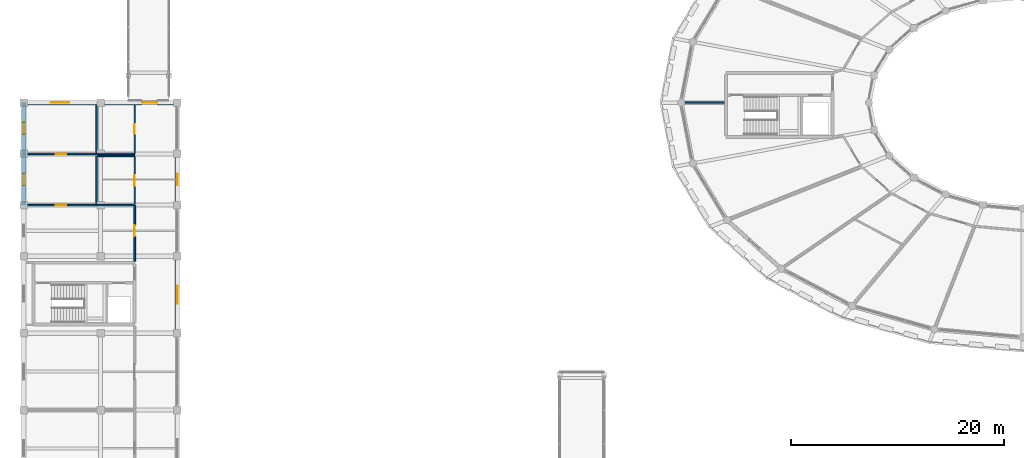
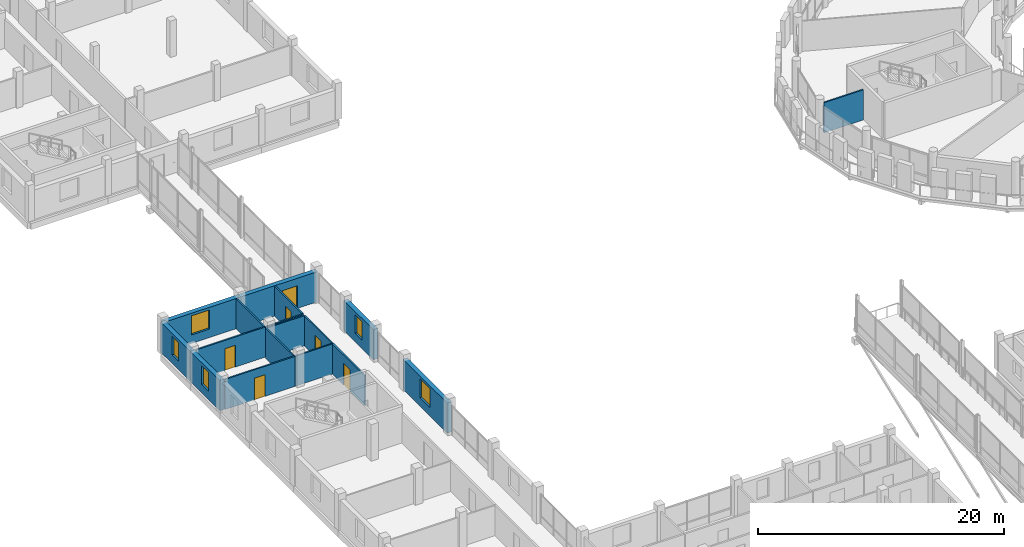
# One storey, part 109 of 128: 17 walls, 6 doors, 5 windows, 11 openings.
"""IFC4 building model written with IfcOpenShell, lengths in metres."""

from ifc_helpers import new_model, si_unit, direction, frame, frame_2d, origin, place, context, subcontext, project, spatial, rectangle, extrude, material, layer, layer_set, type_object, element, fill, save


model = new_model("IFC4")

# Units and contexts
model_context = context("Model", 3, precision=1e-05, world=origin(), true_north=direction((0.0, 1.0)))
body_context = subcontext(model_context, "Body", "Model", "MODEL_VIEW")
ifc_project = project(units=[si_unit("LENGTHUNIT", "METRE"), si_unit("AREAUNIT", "SQUARE_METRE"), si_unit("VOLUMEUNIT", "CUBIC_METRE"), si_unit("PLANEANGLEUNIT", "RADIAN"), si_unit("MASSUNIT", "GRAM", prefix="KILO")], contexts=[model_context])

# Site, building, storey
site_placement = place(None, origin())
site = spatial("IfcSite", under=ifc_project, at=site_placement, CompositionType="ELEMENT")
building_placement = place(site_placement, origin())
building = spatial("IfcBuilding", under=site, at=building_placement, Name="Zornivar Specialist Clinic", CompositionType="ELEMENT")
storey_placement = place(building_placement, frame((0.0, 0.0, 4.5)))
storey = spatial("IfcBuildingStorey", under=building, at=storey_placement, Name="L01", CompositionType="ELEMENT", Elevation=4.5)

# Wall, opening, window
ifc_material_1 = material(Name="Masonry Vratsa Limestone Ashlar Cavity Wall", Category="masonry")
ifc_layer_1 = layer(ifc_material_1, 0.419921875)
ifc_layer_set_1 = layer_set([ifc_layer_1], Name="Masonry Vratsa Limestone Ashlar Cavity Wall")
wall_type_1 = type_object("IfcWallType", Name="EW-LIMESTONE-420", PredefinedType="SOLIDWALL", material=ifc_layer_set_1)
wall_1_placement = place(storey_placement, frame((14.39990234375, 36.0, 0.0), z_axis=(0.0, 0.0, 1.0), x_axis=(0.0, 1.0, 0.0)))
wall_1 = element("IfcWall", 1, at=wall_1_placement, inside=storey, type_object=wall_type_1, Name="ew:V2:L01:17", PredefinedType="SOLIDWALL", context=body_context, shape_type="SweptSolid", body=[
    extrude(rectangle(XDim=7.199951171875, YDim=0.419921875, at=frame_2d((3.60009765625, 0.0))), origin(), (0.0, 0.0, 1.0), 3.0),
])
opening_1_placement = place(wall_1_placement, frame((2.75, 0.0, 0.85009765625)))
opening_1 = element("IfcOpeningElement", 2, at=opening_1_placement, cuts=wall_1, Name="Opening W-06", PredefinedType="OPENING", context=body_context, shape_type="SweptSolid", body=[
    extrude(rectangle(XDim=1.699951171875, YDim=1.89990234375, at=frame_2d((0.85009765625, 0.949951171875))), frame((0.0, 0.219970703125, 0.0), z_axis=(0.0, -1.0, 0.0), x_axis=(1.0, 0.0, 0.0)), (0.0, 0.0, 1.0), 0.43994140625),
])
ifc_material_2 = material(Name="Triple-Glazed Aluminium-Timber Window Glass", Category="wood")
window_type_1 = type_object("IfcWindowType", Name="WIN-OUTP-COURT-1700x1900", PartitioningType="SINGLE_PANEL", PredefinedType="WINDOW", material=ifc_material_2)
window_1_placement = place(opening_1_placement, origin())
window_1 = element("IfcWindow", 3, at=window_1_placement, inside=storey, type_object=window_type_1, Name="win:V2:L01:17", OverallHeight=1.89990234375, OverallWidth=1.699951171875, PartitioningType="SINGLE_PANEL", PredefinedType="WINDOW", context=body_context, shape_type="SweptSolid", body=[
    extrude(rectangle(XDim=1.699951171875, YDim=1.89990234375, at=frame_2d((0.85009765625, 0.949951171875))), frame((0.0, 0.030029296875, 0.0), z_axis=(0.0, -1.0, 0.0), x_axis=(1.0, 0.0, 0.0)), (0.0, 0.0, 1.0), 0.06005859375),
])
fill(opening_1, window_1)

wall_2_placement = place(storey_placement, frame((14.39990234375, 48.0, 0.0), z_axis=(0.0, 0.0, 1.0), x_axis=(0.0, 1.0, 0.0)))
wall_2 = element("IfcWall", 4, at=wall_2_placement, inside=storey, type_object=wall_type_1, Name="ew:V2:L01:19", PredefinedType="SOLIDWALL", context=body_context, shape_type="SweptSolid", body=[
    extrude(rectangle(XDim=4.800048828125, YDim=0.419921875, at=frame_2d((2.39990234375, 0.0))), origin(), (0.0, 0.0, 1.0), 3.0),
])
opening_2_placement = place(wall_2_placement, frame((1.85009765625, 0.0, 0.85009765625)))
opening_2 = element("IfcOpeningElement", 5, at=opening_2_placement, cuts=wall_2, Name="Opening W-07", PredefinedType="OPENING", context=body_context, shape_type="SweptSolid", body=[
    extrude(rectangle(XDim=1.10009765625, YDim=1.85009765625, at=frame_2d((0.550048828125, 0.925048828125))), frame((0.0, 0.219970703125, 0.0), z_axis=(0.0, -1.0, 0.0), x_axis=(1.0, 0.0, 0.0)), (0.0, 0.0, 1.0), 0.43994140625),
])
ifc_material_3 = material(Name="Triple-Glazed Aluminium-Timber Window Glass", Category="wood")
window_type_2 = type_object("IfcWindowType", Name="WIN-OUTP-PIER-1100x1850", PartitioningType="SINGLE_PANEL", PredefinedType="WINDOW", material=ifc_material_3)
window_2_placement = place(opening_2_placement, origin())
window_2 = element("IfcWindow", 6, at=window_2_placement, inside=storey, type_object=window_type_2, Name="win:V2:L01:19", OverallHeight=1.85009765625, OverallWidth=1.10009765625, PartitioningType="SINGLE_PANEL", PredefinedType="WINDOW", context=body_context, shape_type="SweptSolid", body=[
    extrude(rectangle(XDim=1.10009765625, YDim=1.85009765625, at=frame_2d((0.550048828125, 0.925048828125))), frame((0.0, 0.030029296875, 0.0), z_axis=(0.0, -1.0, 0.0), x_axis=(1.0, 0.0, 0.0)), (0.0, 0.0, 1.0), 0.06005859375),
])
fill(opening_2, window_2)

# Wall, opening, door
wall_3_placement = place(storey_placement, frame((14.39990234375, 57.60009765625, 0.0), z_axis=(0.0, 0.0, 1.0), x_axis=(-1.0, 0.0, 0.0)))
wall_3 = element("IfcWall", 7, at=wall_3_placement, inside=storey, type_object=wall_type_1, Name="ew:V2:L01:21", PredefinedType="SOLIDWALL", context=body_context, shape_type="SweptSolid", body=[
    extrude(rectangle(XDim=7.199951171875, YDim=0.419921875, at=frame_2d((3.60009765625, 0.0))), origin(), (0.0, 0.0, 1.0), 3.0),
])
opening_3_placement = place(wall_3_placement, frame((1.89990234375, 0.0, 0.0)))
opening_3 = element("IfcOpeningElement", 8, at=opening_3_placement, cuts=wall_3, Name="Opening TD-01", PredefinedType="OPENING", context=body_context, shape_type="SweptSolid", body=[
    extrude(rectangle(XDim=1.39990234375, YDim=2.25, at=frame_2d((0.699951171875, 1.125))), frame((0.0, 0.219970703125, 0.0), z_axis=(0.0, -1.0, 0.0), x_axis=(1.0, 0.0, 0.0)), (0.0, 0.0, 1.0), 0.43994140625),
])
ifc_material_4 = material(Name="Thermally Broken Glazed Aluminium Door", Category="aluminium")
door_type_1 = type_object("IfcDoorType", Name="TD-TERR-1400x2250", OperationType="NOTDEFINED", PredefinedType="DOOR", material=ifc_material_4)
door_1_placement = place(opening_3_placement, origin())
door_1 = element("IfcDoor", 9, at=door_1_placement, inside=storey, type_object=door_type_1, Name="door:V2:L01:br2", OperationType="SINGLE_SWING_RIGHT", OverallHeight=2.25, OverallWidth=1.39990234375, PredefinedType="DOOR", context=body_context, shape_type="SweptSolid", body=[
    extrude(rectangle(XDim=1.39990234375, YDim=2.25, at=frame_2d((0.699951171875, 1.125))), frame((0.0, 0.02490234375, 0.0), z_axis=(0.0, -1.0, 0.0), x_axis=(1.0, 0.0, 0.0)), (0.0, 0.0, 1.0), 0.050048828125),
])
fill(opening_3, door_1)

# Wall, opening, window
wall_4_placement = place(storey_placement, frame((7.199951171875, 57.60009765625, 0.0), z_axis=(0.0, 0.0, 1.0), x_axis=(-1.0, 0.0, 0.0)))
wall_4 = element("IfcWall", 10, at=wall_4_placement, inside=storey, type_object=wall_type_1, Name="ew:V2:L01:22", PredefinedType="SOLIDWALL", context=body_context, shape_type="SweptSolid", body=[
    extrude(rectangle(XDim=7.199951171875, YDim=0.419921875, at=frame_2d((3.60009765625, 0.0))), origin(), (0.0, 0.0, 1.0), 3.0),
])
opening_4_placement = place(wall_4_placement, frame((2.949951171875, 0.0, 0.85009765625)))
opening_4 = element("IfcOpeningElement", 11, at=opening_4_placement, cuts=wall_4, Name="Opening W-06", PredefinedType="OPENING", context=body_context, shape_type="SweptSolid", body=[
    extrude(rectangle(XDim=1.699951171875, YDim=1.89990234375, at=frame_2d((0.85009765625, 0.949951171875))), frame((0.0, 0.219970703125, 0.0), z_axis=(0.0, -1.0, 0.0), x_axis=(1.0, 0.0, 0.0)), (0.0, 0.0, 1.0), 0.43994140625),
])
window_3_placement = place(opening_4_placement, origin())
window_3 = element("IfcWindow", 12, at=window_3_placement, inside=storey, type_object=window_type_1, Name="win:V2:L01:22", OverallHeight=1.89990234375, OverallWidth=1.699951171875, PartitioningType="SINGLE_PANEL", PredefinedType="WINDOW", context=body_context, shape_type="SweptSolid", body=[
    extrude(rectangle(XDim=1.699951171875, YDim=1.89990234375, at=frame_2d((0.85009765625, 0.949951171875))), frame((0.0, 0.030029296875, 0.0), z_axis=(0.0, -1.0, 0.0), x_axis=(1.0, 0.0, 0.0)), (0.0, 0.0, 1.0), 0.06005859375),
])
fill(opening_4, window_3)

wall_5_placement = place(storey_placement, frame((0.0, 57.60009765625, 0.0), z_axis=(0.0, 0.0, 1.0), x_axis=(0.0, -1.0, 0.0)))
wall_5 = element("IfcWall", 13, at=wall_5_placement, inside=storey, type_object=wall_type_1, Name="ew:V2:L01:23", PredefinedType="SOLIDWALL", context=body_context, shape_type="SweptSolid", body=[
    extrude(rectangle(XDim=4.800048828125, YDim=0.419921875, at=frame_2d((2.39990234375, 0.0))), origin(), (0.0, 0.0, 1.0), 3.0),
])
opening_5_placement = place(wall_5_placement, frame((1.85009765625, 0.0, 0.85009765625)))
opening_5 = element("IfcOpeningElement", 14, at=opening_5_placement, cuts=wall_5, Name="Opening W-07", PredefinedType="OPENING", context=body_context, shape_type="SweptSolid", body=[
    extrude(rectangle(XDim=1.10009765625, YDim=1.85009765625, at=frame_2d((0.550048828125, 0.925048828125))), frame((0.0, 0.219970703125, 0.0), z_axis=(0.0, -1.0, 0.0), x_axis=(1.0, 0.0, 0.0)), (0.0, 0.0, 1.0), 0.43994140625),
])
window_4_placement = place(opening_5_placement, origin())
window_4 = element("IfcWindow", 15, at=window_4_placement, inside=storey, type_object=window_type_2, Name="win:V2:L01:23", OverallHeight=1.85009765625, OverallWidth=1.10009765625, PartitioningType="SINGLE_PANEL", PredefinedType="WINDOW", context=body_context, shape_type="SweptSolid", body=[
    extrude(rectangle(XDim=1.10009765625, YDim=1.85009765625, at=frame_2d((0.550048828125, 0.925048828125))), frame((0.0, 0.030029296875, 0.0), z_axis=(0.0, -1.0, 0.0), x_axis=(1.0, 0.0, 0.0)), (0.0, 0.0, 1.0), 0.06005859375),
])
fill(opening_5, window_4)

wall_6_placement = place(storey_placement, frame((0.0, 52.800048828125, 0.0), z_axis=(0.0, 0.0, 1.0), x_axis=(0.0, -1.0, 0.0)))
wall_6 = element("IfcWall", 16, at=wall_6_placement, inside=storey, type_object=wall_type_1, Name="ew:V2:L01:24", PredefinedType="SOLIDWALL", context=body_context, shape_type="SweptSolid", body=[
    extrude(rectangle(XDim=4.800048828125, YDim=0.419921875, at=frame_2d((2.39990234375, 0.0))), origin(), (0.0, 0.0, 1.0), 3.0),
])
opening_6_placement = place(wall_6_placement, frame((1.85009765625, 0.0, 0.85009765625)))
opening_6 = element("IfcOpeningElement", 17, at=opening_6_placement, cuts=wall_6, Name="Opening W-07", PredefinedType="OPENING", context=body_context, shape_type="SweptSolid", body=[
    extrude(rectangle(XDim=1.10009765625, YDim=1.85009765625, at=frame_2d((0.550048828125, 0.925048828125))), frame((0.0, 0.219970703125, 0.0), z_axis=(0.0, -1.0, 0.0), x_axis=(1.0, 0.0, 0.0)), (0.0, 0.0, 1.0), 0.43994140625),
])
window_5_placement = place(opening_6_placement, origin())
window_5 = element("IfcWindow", 18, at=window_5_placement, inside=storey, type_object=window_type_2, Name="win:V2:L01:24", OverallHeight=1.85009765625, OverallWidth=1.10009765625, PartitioningType="SINGLE_PANEL", PredefinedType="WINDOW", context=body_context, shape_type="SweptSolid", body=[
    extrude(rectangle(XDim=1.10009765625, YDim=1.85009765625, at=frame_2d((0.550048828125, 0.925048828125))), frame((0.0, 0.030029296875, 0.0), z_axis=(0.0, -1.0, 0.0), x_axis=(1.0, 0.0, 0.0)), (0.0, 0.0, 1.0), 0.06005859375),
])
fill(opening_6, window_5)

# Wall
ifc_material_5 = material(Name="Acoustic Clinical Stud Partition")
ifc_layer_2 = layer(ifc_material_5, 0.139892578125)
ifc_layer_set_2 = layer_set([ifc_layer_2], Name="Acoustic Clinical Stud Partition")
wall_type_2 = type_object("IfcWallType", Name="IW-CLIN-140", PredefinedType="PARTITIONING", material=ifc_layer_set_2)
wall_7_placement = place(storey_placement, frame((65.64501953125, 57.60009765625, 0.0), z_axis=(0.0, 0.0, 1.0), x_axis=(-1.0, 0.0, 0.0)))
element("IfcWall", 19, at=wall_7_placement, inside=storey, type_object=wall_type_2, Name="iw:L01:024", PredefinedType="PARTITIONING", context=body_context, shape_type="SweptSolid", body=[
    extrude(rectangle(XDim=3.695068359375, YDim=0.139892578125, at=frame_2d((1.84765625, 0.0))), origin(), (0.0, 0.0, 1.0), 2.989990234375),
])

# Wall, opening, door
wall_8_placement = place(storey_placement, frame((0.22509765625, 48.0, 0.0), z_axis=(0.0, 0.0, 1.0), x_axis=(1.0, 0.0, 0.0)))
wall_8 = element("IfcWall", 20, at=wall_8_placement, inside=storey, type_object=wall_type_2, Name="iw:L01:062", PredefinedType="PARTITIONING", context=body_context, shape_type="SweptSolid", body=[
    extrude(rectangle(XDim=6.574951171875, YDim=0.139892578125, at=frame_2d((3.28759765625, 0.0))), origin(), (0.0, 0.0, 1.0), 2.97998046875),
])
opening_7_placement = place(wall_8_placement, frame((2.797119140625, 0.0, 0.0)))
opening_7 = element("IfcOpeningElement", 21, at=opening_7_placement, cuts=wall_8, Name="Opening ID-09", PredefinedType="OPENING", context=body_context, shape_type="SweptSolid", body=[
    extrude(rectangle(XDim=0.97998046875, YDim=2.14990234375, at=frame_2d((0.489990234375, 1.074951171875))), frame((0.0, 0.079833984375, 0.0), z_axis=(0.0, -1.0, 0.0), x_axis=(1.0, 0.0, 0.0)), (0.0, 0.0, 1.0), 0.159912109375),
])
ifc_material_6 = material(Name="Solid-Core Hygienic Laminate Timber Door", Category="wood")
door_type_2 = type_object("IfcDoorType", Name="ID-STAFF-0980x2150", OperationType="NOTDEFINED", PredefinedType="DOOR", material=ifc_material_6)
door_2_placement = place(opening_7_placement, origin())
door_2 = element("IfcDoor", 22, at=door_2_placement, inside=storey, type_object=door_type_2, Name="door:space:V2:L01:rm:05b", OperationType="SINGLE_SWING_LEFT", OverallHeight=2.14990234375, OverallWidth=0.97998046875, PredefinedType="DOOR", context=body_context, shape_type="SweptSolid", body=[
    extrude(rectangle(XDim=0.97998046875, YDim=2.14990234375, at=frame_2d((0.489990234375, 1.074951171875))), frame((0.0, 0.02490234375, 0.0), z_axis=(0.0, -1.0, 0.0), x_axis=(1.0, 0.0, 0.0)), (0.0, 0.0, 1.0), 0.050048828125),
])
fill(opening_7, door_2)

wall_9_placement = place(storey_placement, frame((0.22509765625, 52.800048828125, 0.0), z_axis=(0.0, 0.0, 1.0), x_axis=(1.0, 0.0, 0.0)))
wall_9 = element("IfcWall", 23, at=wall_9_placement, inside=storey, type_object=wall_type_2, Name="iw:L01:067", PredefinedType="PARTITIONING", context=body_context, shape_type="SweptSolid", body=[
    extrude(rectangle(XDim=6.574951171875, YDim=0.139892578125, at=frame_2d((3.28759765625, 0.0))), origin(), (0.0, 0.0, 1.0), 2.97998046875),
])
opening_8_placement = place(wall_9_placement, frame((2.797119140625, 0.0, 0.0)))
opening_8 = element("IfcOpeningElement", 24, at=opening_8_placement, cuts=wall_9, Name="Opening ID-09", PredefinedType="OPENING", context=body_context, shape_type="SweptSolid", body=[
    extrude(rectangle(XDim=0.97998046875, YDim=2.14990234375, at=frame_2d((0.489990234375, 1.074951171875))), frame((0.0, 0.079833984375, 0.0), z_axis=(0.0, -1.0, 0.0), x_axis=(1.0, 0.0, 0.0)), (0.0, 0.0, 1.0), 0.159912109375),
])
door_3_placement = place(opening_8_placement, origin())
door_3 = element("IfcDoor", 25, at=door_3_placement, inside=storey, type_object=door_type_2, Name="door:space:V2:L01:rm:07b", OperationType="SINGLE_SWING_LEFT", OverallHeight=2.14990234375, OverallWidth=0.97998046875, PredefinedType="DOOR", context=body_context, shape_type="SweptSolid", body=[
    extrude(rectangle(XDim=0.97998046875, YDim=2.14990234375, at=frame_2d((0.489990234375, 1.074951171875))), frame((0.0, 0.02490234375, 0.0), z_axis=(0.0, -1.0, 0.0), x_axis=(1.0, 0.0, 0.0)), (0.0, 0.0, 1.0), 0.050048828125),
])
fill(opening_8, door_3)

ifc_material_7 = material(Name="Gypsum Fire-Rated Double Stud Partition")
ifc_layer_3 = layer(ifc_material_7, 0.159912109375)
ifc_layer_set_3 = layer_set([ifc_layer_3], Name="Gypsum Fire-Rated Double Stud Partition")
wall_type_3 = type_object("IfcWallType", Name="IW-CORR-EI60-160", PredefinedType="PARTITIONING", material=ifc_layer_set_3)
wall_10_placement = place(storey_placement, frame((10.39990234375, 48.0, 0.0), z_axis=(0.0, 0.0, 1.0), x_axis=(0.0, -1.0, 0.0)))
wall_10 = element("IfcWall", 26, at=wall_10_placement, inside=storey, type_object=wall_type_3, Name="iw:L01:060", PredefinedType="PARTITIONING", context=body_context, shape_type="SweptSolid", body=[
    extrude(rectangle(XDim=5.2451171875, YDim=0.159912109375, at=frame_2d((2.62255859375, 0.0))), origin(), (0.0, 0.0, 1.0), 2.97998046875),
])
opening_9_placement = place(wall_10_placement, frame((1.865966796875, 0.0, 0.0)))
opening_9 = element("IfcOpeningElement", 27, at=opening_9_placement, cuts=wall_10, Name="Opening ID-03", PredefinedType="OPENING", context=body_context, shape_type="SweptSolid", body=[
    extrude(rectangle(XDim=1.050048828125, YDim=2.14990234375, at=frame_2d((0.52490234375, 1.074951171875))), frame((0.0, 0.08984375, 0.0), z_axis=(0.0, -1.0, 0.0), x_axis=(1.0, 0.0, 0.0)), (0.0, 0.0, 1.0), 0.179931640625),
])
ifc_material_8 = material(Name="Solid-Core Hygienic Laminate Timber Door", Category="wood")
door_type_3 = type_object("IfcDoorType", Name="ID-CONS-1050x2150", OperationType="NOTDEFINED", PredefinedType="DOOR", material=ifc_material_8)
door_4_placement = place(opening_9_placement, origin())
door_4 = element("IfcDoor", 28, at=door_4_placement, inside=storey, type_object=door_type_3, Name="door:space:V2:L01:rm:04", OperationType="SINGLE_SWING_LEFT", OverallHeight=2.14990234375, OverallWidth=1.050048828125, PredefinedType="DOOR", context=body_context, shape_type="SweptSolid", body=[
    extrude(rectangle(XDim=1.050048828125, YDim=2.14990234375, at=frame_2d((0.52490234375, 1.074951171875))), frame((0.0, 0.02490234375, 0.0), z_axis=(0.0, -1.0, 0.0), x_axis=(1.0, 0.0, 0.0)), (0.0, 0.0, 1.0), 0.050048828125),
])
fill(opening_9, door_4)

# Walls
ifc_material_9 = material(Name="Moisture-Resistant Sanitary Partition")
ifc_layer_4 = layer(ifc_material_9, 0.1298828125)
ifc_layer_set_4 = layer_set([ifc_layer_4], Name="Moisture-Resistant Sanitary Partition")
wall_type_4 = type_object("IfcWallType", Name="IW-WET-130", PredefinedType="PARTITIONING", material=ifc_layer_set_4)
wall_11_placement = place(storey_placement, frame((6.81201171875, 48.0, 0.0), z_axis=(0.0, 0.0, 1.0), x_axis=(1.0, 0.0, 0.0)))
element("IfcWall", 29, at=wall_11_placement, inside=storey, type_object=wall_type_4, Name="iw:L01:063", PredefinedType="PARTITIONING", context=body_context, shape_type="SweptSolid", body=[
    extrude(rectangle(XDim=3.493896484375, YDim=0.1298828125, at=frame_2d((1.7470703125, 0.0))), origin(), (0.0, 0.0, 1.0), 2.97998046875),
])
wall_12_placement = place(storey_placement, frame((6.800048828125, 48.083984375, 0.0), z_axis=(0.0, 0.0, 1.0), x_axis=(0.0, 1.0, 0.0)))
element("IfcWall", 30, at=wall_12_placement, inside=storey, type_object=wall_type_4, Name="iw:L01:064", PredefinedType="PARTITIONING", context=body_context, shape_type="SweptSolid", body=[
    extrude(rectangle(XDim=4.51611328125, YDim=0.1298828125, at=frame_2d((2.258056640625, 0.0))), origin(), (0.0, 0.0, 1.0), 2.97998046875),
])
wall_13_placement = place(storey_placement, frame((6.87890625, 52.60009765625, 0.0), z_axis=(0.0, 0.0, 1.0), x_axis=(1.0, 0.0, 0.0)))
element("IfcWall", 31, at=wall_13_placement, inside=storey, type_object=wall_type_4, Name="iw:L01:065", PredefinedType="PARTITIONING", context=body_context, shape_type="SweptSolid", body=[
    extrude(rectangle(XDim=3.52099609375, YDim=0.1298828125, at=frame_2d((1.760498046875, 0.0))), origin(), (0.0, 0.0, 1.0), 2.97998046875),
])

# Wall, opening, door
wall_14_placement = place(storey_placement, frame((10.39990234375, 52.52099609375, 0.0), z_axis=(0.0, 0.0, 1.0), x_axis=(0.0, -1.0, 0.0)))
wall_14 = element("IfcWall", 32, at=wall_14_placement, inside=storey, type_object=wall_type_4, Name="iw:L01:066", PredefinedType="PARTITIONING", context=body_context, shape_type="SweptSolid", body=[
    extrude(rectangle(XDim=4.44189453125, YDim=0.1298828125, at=frame_2d((2.220947265625, 0.0))), origin(), (0.0, 0.0, 1.0), 2.97998046875),
])
opening_10_placement = place(wall_14_placement, frame((1.74609375, 0.0, 0.0)))
opening_10 = element("IfcOpeningElement", 33, at=opening_10_placement, cuts=wall_14, Name="Opening ID-07", PredefinedType="OPENING", context=body_context, shape_type="SweptSolid", body=[
    extrude(rectangle(XDim=0.949951171875, YDim=2.10009765625, at=frame_2d((0.47509765625, 1.050048828125))), frame((0.0, 0.074951171875, 0.0), z_axis=(0.0, -1.0, 0.0), x_axis=(1.0, 0.0, 0.0)), (0.0, 0.0, 1.0), 0.14990234375),
])
ifc_material_10 = material(Name="Solid-Core Hygienic Laminate Timber Door", Category="wood")
door_type_4 = type_object("IfcDoorType", Name="ID-WC-ACC-0950x2100", OperationType="NOTDEFINED", PredefinedType="DOOR", material=ifc_material_10)
door_5_placement = place(opening_10_placement, origin())
door_5 = element("IfcDoor", 34, at=door_5_placement, inside=storey, type_object=door_type_4, Name="door:space:V2:L01:rm:05", OperationType="SINGLE_SWING_RIGHT", OverallHeight=2.10009765625, OverallWidth=0.949951171875, PredefinedType="DOOR", context=body_context, shape_type="SweptSolid", body=[
    extrude(rectangle(XDim=0.949951171875, YDim=2.10009765625, at=frame_2d((0.47509765625, 1.050048828125))), frame((0.0, 0.02490234375, 0.0), z_axis=(0.0, -1.0, 0.0), x_axis=(1.0, 0.0, 0.0)), (0.0, 0.0, 1.0), 0.050048828125),
])
fill(opening_10, door_5)

# Walls
wall_15_placement = place(storey_placement, frame((6.81201171875, 52.800048828125, 0.0), z_axis=(0.0, 0.0, 1.0), x_axis=(1.0, 0.0, 0.0)))
element("IfcWall", 35, at=wall_15_placement, inside=storey, type_object=wall_type_4, Name="iw:L01:068", PredefinedType="PARTITIONING", context=body_context, shape_type="SweptSolid", body=[
    extrude(rectangle(XDim=3.587890625, YDim=0.1298828125, at=frame_2d((1.7939453125, 0.0))), origin(), (0.0, 0.0, 1.0), 2.97998046875),
])
wall_16_placement = place(storey_placement, frame((6.800048828125, 52.884033203125, 0.0), z_axis=(0.0, 0.0, 1.0), x_axis=(0.0, 1.0, 0.0)))
element("IfcWall", 36, at=wall_16_placement, inside=storey, type_object=wall_type_4, Name="iw:L01:069", PredefinedType="PARTITIONING", context=body_context, shape_type="SweptSolid", body=[
    extrude(rectangle(XDim=4.490966796875, YDim=0.1298828125, at=frame_2d((2.24560546875, 0.0))), origin(), (0.0, 0.0, 1.0), 2.97998046875),
])

# Wall, opening, door
wall_17_placement = place(storey_placement, frame((10.39990234375, 57.375, 0.0), z_axis=(0.0, 0.0, 1.0), x_axis=(0.0, -1.0, 0.0)))
wall_17 = element("IfcWall", 37, at=wall_17_placement, inside=storey, type_object=wall_type_4, Name="iw:L01:070", PredefinedType="PARTITIONING", context=body_context, shape_type="SweptSolid", body=[
    extrude(rectangle(XDim=4.49609375, YDim=0.1298828125, at=frame_2d((2.248046875, 0.0))), origin(), (0.0, 0.0, 1.0), 2.97998046875),
])
opening_11_placement = place(wall_17_placement, frame((1.798095703125, 0.0, 0.0)))
opening_11 = element("IfcOpeningElement", 38, at=opening_11_placement, cuts=wall_17, Name="Opening ID-08", PredefinedType="OPENING", context=body_context, shape_type="SweptSolid", body=[
    extrude(rectangle(XDim=0.89990234375, YDim=2.10009765625, at=frame_2d((0.449951171875, 1.050048828125))), frame((0.0, 0.074951171875, 0.0), z_axis=(0.0, -1.0, 0.0), x_axis=(1.0, 0.0, 0.0)), (0.0, 0.0, 1.0), 0.14990234375),
])
ifc_material_11 = material(Name="Solid-Core Hygienic Laminate Timber Door", Category="wood")
door_type_5 = type_object("IfcDoorType", Name="ID-WC-STD-0900x2100", OperationType="NOTDEFINED", PredefinedType="DOOR", material=ifc_material_11)
door_6_placement = place(opening_11_placement, origin())
door_6 = element("IfcDoor", 39, at=door_6_placement, inside=storey, type_object=door_type_5, Name="door:space:V2:L01:rm:07", OperationType="SINGLE_SWING_RIGHT", OverallHeight=2.10009765625, OverallWidth=0.89990234375, PredefinedType="DOOR", context=body_context, shape_type="SweptSolid", body=[
    extrude(rectangle(XDim=0.89990234375, YDim=2.10009765625, at=frame_2d((0.449951171875, 1.050048828125))), frame((0.0, 0.02490234375, 0.0), z_axis=(0.0, -1.0, 0.0), x_axis=(1.0, 0.0, 0.0)), (0.0, 0.0, 1.0), 0.050048828125),
])
fill(opening_11, door_6)

save(model, "model.ifc")
